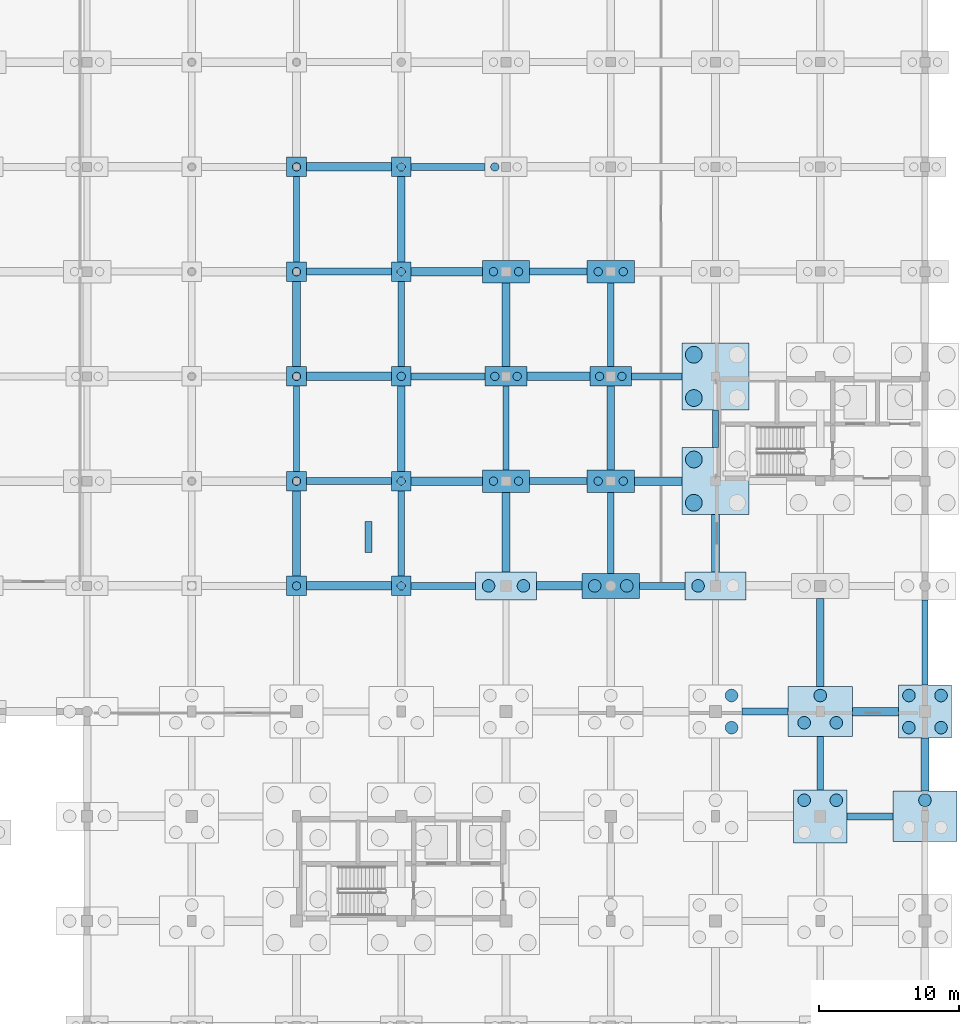
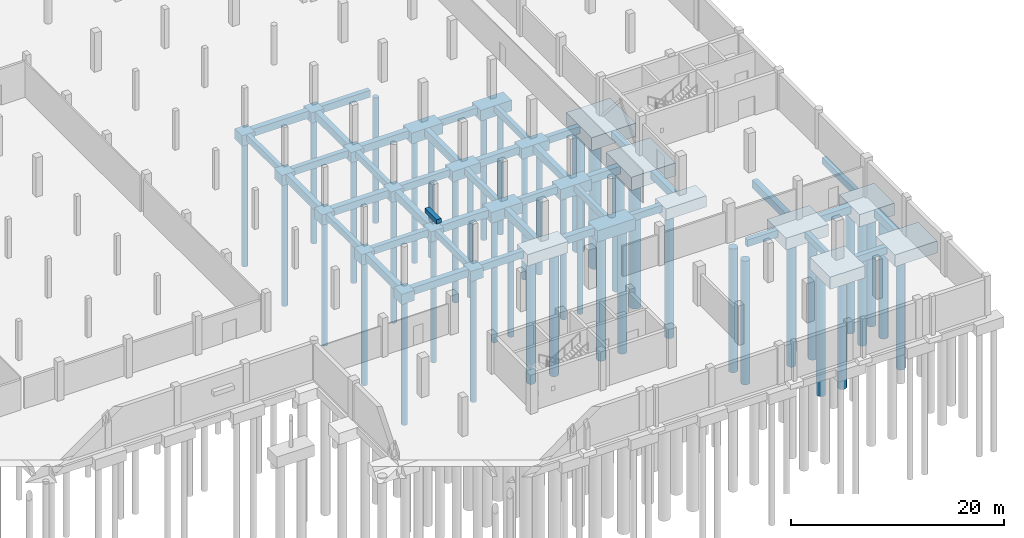
# One storey, part 12 of 42: 66 footings, 44 piles.
"""IFC4 building model written with IfcOpenShell, lengths in metres."""

from ifc_helpers import new_model, si_unit, direction, frame, origin, origin_2d, place, context, subcontext, project, spatial, rectangle, circle, extrude, material, material_profile, profile_set, type_object, element, save


model = new_model("IFC4")

# Units and contexts
model_context = context("Model", 3, precision=1e-05, world=origin(), true_north=direction((0.0, 1.0)))
body_context = subcontext(model_context, "Body", "Model", "MODEL_VIEW")
ifc_project = project(units=[si_unit("LENGTHUNIT", "METRE"), si_unit("AREAUNIT", "SQUARE_METRE"), si_unit("VOLUMEUNIT", "CUBIC_METRE"), si_unit("PLANEANGLEUNIT", "RADIAN"), si_unit("MASSUNIT", "GRAM", prefix="KILO")], contexts=[model_context])

# Site, building, storey
site_placement = place(None, origin())
site = spatial("IfcSite", under=ifc_project, at=site_placement, CompositionType="ELEMENT")
building_placement = place(site_placement, origin())
building = spatial("IfcBuilding", under=site, at=building_placement, Name="Dalvernix Boulevard General Hospital", CompositionType="ELEMENT")
storey_placement = place(building_placement, frame((0.0, 0.0, -4.5)))
storey = spatial("IfcBuildingStorey", under=building, at=storey_placement, Name="B1", CompositionType="ELEMENT", Elevation=-4.5)

# Footings
ifc_material_1 = material(Name="Concrete C35/45", Category="concrete")
footing_type_1 = type_object("IfcFootingType", Name="FTG-GB-01", PredefinedType="FOOTING_BEAM", material=ifc_material_1)
for number, where, z_axis, x_axis, name in (
    (1, (168.550048828125, 15.0, -1.2998046875), (0.0, 0.0, 1.0), (1.0, 0.0, 0.0), "Ground beam C:23-24"),
    (2, (161.050048828125, 22.5, -1.2998046875), (0.0, 0.0, 1.0), (1.0, 0.0, 0.0), "Ground beam D:22-23"),
):
    element("IfcFooting", number, at=place(storey_placement, frame(where, z_axis=z_axis, x_axis=x_axis)), inside=storey, type_object=footing_type_1, Name=name, PredefinedType="FOOTING_BEAM", context=body_context, shape_type="SweptSolid", body=[
        extrude(rectangle(XDim=3.300048828125, YDim=0.5, at=origin_2d()), origin(), (0.0, 0.0, 1.0), 0.800048828125),
    ])
footing_1_placement = place(storey_placement, frame((138.0, 31.5, -1.2998046875), z_axis=(0.0, 0.0, 1.0), x_axis=(1.0, 0.0, 0.0)))
element("IfcFooting", 3, at=footing_1_placement, inside=storey, type_object=footing_type_1, Name="Ground beam E:19-20", PredefinedType="FOOTING_BEAM", context=body_context, shape_type="SweptSolid", body=[
    extrude(rectangle(XDim=4.60009765625, YDim=0.5, at=origin_2d()), origin(), (0.0, 0.0, 1.0), 0.800048828125),
])
footing_2_placement = place(storey_placement, frame((153.675048828125, 31.5, -1.2998046875), z_axis=(0.0, 0.0, 1.0), x_axis=(1.0, 0.0, 0.0)))
element("IfcFooting", 4, at=footing_2_placement, inside=storey, type_object=footing_type_1, Name="Ground beam E:21-22", PredefinedType="FOOTING_BEAM", context=body_context, shape_type="SweptSolid", body=[
    extrude(rectangle(XDim=3.25, YDim=0.5, at=origin_2d()), origin(), (0.0, 0.0, 1.0), 0.800048828125),
])
footing_3_placement = place(storey_placement, frame((131.25, 39.0, -1.2998046875), z_axis=(0.0, 0.0, 1.0), x_axis=(1.0, 0.0, 0.0)))
element("IfcFooting", 5, at=footing_3_placement, inside=storey, type_object=footing_type_1, Name="Ground beam F:18-19", PredefinedType="FOOTING_BEAM", context=body_context, shape_type="SweptSolid", body=[
    extrude(rectangle(XDim=6.10009765625, YDim=0.5, at=origin_2d()), origin(), (0.0, 0.0, 1.0), 0.800048828125),
])
footing_4_placement = place(storey_placement, frame((146.25, 39.0, -1.2998046875), z_axis=(0.0, 0.0, 1.0), x_axis=(1.0, 0.0, 0.0)))
element("IfcFooting", 6, at=footing_4_placement, inside=storey, type_object=footing_type_1, Name="Ground beam F:20-21", PredefinedType="FOOTING_BEAM", context=body_context, shape_type="SweptSolid", body=[
    extrude(rectangle(XDim=4.10009765625, YDim=0.5, at=origin_2d()), origin(), (0.0, 0.0, 1.0), 0.800048828125),
])
footing_5_placement = place(storey_placement, frame((138.35009765625, 46.5, -1.2998046875), z_axis=(0.0, 0.0, 1.0), x_axis=(1.0, 0.0, 0.0)))
element("IfcFooting", 7, at=footing_5_placement, inside=storey, type_object=footing_type_1, Name="Ground beam G:19-20", PredefinedType="FOOTING_BEAM", context=body_context, shape_type="SweptSolid", body=[
    extrude(rectangle(XDim=5.300048828125, YDim=0.5, at=origin_2d()), origin(), (0.0, 0.0, 1.0), 0.800048828125),
])
footing_6_placement = place(storey_placement, frame((153.300048828125, 46.5, -1.2998046875), z_axis=(0.0, 0.0, 1.0), x_axis=(1.0, 0.0, 0.0)))
element("IfcFooting", 8, at=footing_6_placement, inside=storey, type_object=footing_type_1, Name="Ground beam G:21-22", PredefinedType="FOOTING_BEAM", context=body_context, shape_type="SweptSolid", body=[
    extrude(rectangle(XDim=3.60009765625, YDim=0.5, at=origin_2d()), origin(), (0.0, 0.0, 1.0), 0.800048828125),
])
footing_7_placement = place(storey_placement, frame((131.25, 54.0, -1.2998046875), z_axis=(0.0, 0.0, 1.0), x_axis=(1.0, 0.0, 0.0)))
element("IfcFooting", 9, at=footing_7_placement, inside=storey, type_object=footing_type_1, Name="Ground beam H:18-19", PredefinedType="FOOTING_BEAM", context=body_context, shape_type="SweptSolid", body=[
    extrude(rectangle(XDim=6.10009765625, YDim=0.5, at=origin_2d()), origin(), (0.0, 0.0, 1.0), 0.800048828125),
])
footing_8_placement = place(storey_placement, frame((146.25, 54.0, -1.2998046875), z_axis=(0.0, 0.0, 1.0), x_axis=(1.0, 0.0, 0.0)))
element("IfcFooting", 10, at=footing_8_placement, inside=storey, type_object=footing_type_1, Name="Ground beam H:20-21", PredefinedType="FOOTING_BEAM", context=body_context, shape_type="SweptSolid", body=[
    extrude(rectangle(XDim=4.10009765625, YDim=0.5, at=origin_2d()), origin(), (0.0, 0.0, 1.0), 0.800048828125),
])
footing_9_placement = place(storey_placement, frame((138.35009765625, 61.5, -1.2998046875), z_axis=(0.0, 0.0, 1.0), x_axis=(1.0, 0.0, 0.0)))
element("IfcFooting", 11, at=footing_9_placement, inside=storey, type_object=footing_type_1, Name="Ground beam J:19-20", PredefinedType="FOOTING_BEAM", context=body_context, shape_type="SweptSolid", body=[
    extrude(rectangle(XDim=5.300048828125, YDim=0.5, at=origin_2d()), origin(), (0.0, 0.0, 1.0), 0.800048828125),
])
footing_type_2 = type_object("IfcFootingType", Name="FTG-GB-02", PredefinedType="FOOTING_BEAM", material=ifc_material_1)
footing_10_placement = place(storey_placement, frame((168.949951171875, 22.5, -1.35009765625), z_axis=(0.0, 0.0, 1.0), x_axis=(1.0, 0.0, 0.0)))
element("IfcFooting", 12, at=footing_10_placement, inside=storey, type_object=footing_type_2, Name="Ground beam D:23-24", PredefinedType="FOOTING_BEAM", context=body_context, shape_type="SweptSolid", body=[
    extrude(rectangle(XDim=3.300048828125, YDim=0.60009765625, at=origin_2d()), origin(), (0.0, 0.0, 1.0), 0.85009765625),
])
footing_11_placement = place(storey_placement, frame((131.25, 31.5, -1.35009765625), z_axis=(0.0, 0.0, 1.0), x_axis=(1.0, 0.0, 0.0)))
element("IfcFooting", 13, at=footing_11_placement, inside=storey, type_object=footing_type_2, Name="Ground beam E:18-19", PredefinedType="FOOTING_BEAM", context=body_context, shape_type="SweptSolid", body=[
    extrude(rectangle(XDim=6.10009765625, YDim=0.60009765625, at=origin_2d()), origin(), (0.0, 0.0, 1.0), 0.85009765625),
])
footing_12_placement = place(storey_placement, frame((146.324951171875, 31.5, -1.35009765625), z_axis=(0.0, 0.0, 1.0), x_axis=(1.0, 0.0, 0.0)))
element("IfcFooting", 14, at=footing_12_placement, inside=storey, type_object=footing_type_2, Name="Ground beam E:20-21", PredefinedType="FOOTING_BEAM", context=body_context, shape_type="SweptSolid", body=[
    extrude(rectangle(XDim=3.25, YDim=0.60009765625, at=origin_2d()), origin(), (0.0, 0.0, 1.0), 0.85009765625),
])
footing_13_placement = place(storey_placement, frame((138.25, 39.0, -1.35009765625), z_axis=(0.0, 0.0, 1.0), x_axis=(1.0, 0.0, 0.0)))
element("IfcFooting", 15, at=footing_13_placement, inside=storey, type_object=footing_type_2, Name="Ground beam F:19-20", PredefinedType="FOOTING_BEAM", context=body_context, shape_type="SweptSolid", body=[
    extrude(rectangle(XDim=5.10009765625, YDim=0.60009765625, at=origin_2d()), origin(), (0.0, 0.0, 1.0), 0.85009765625),
])
footing_14_placement = place(storey_placement, frame((153.39990234375, 39.0, -1.35009765625), z_axis=(0.0, 0.0, 1.0), x_axis=(1.0, 0.0, 0.0)))
element("IfcFooting", 16, at=footing_14_placement, inside=storey, type_object=footing_type_2, Name="Ground beam F:21-22", PredefinedType="FOOTING_BEAM", context=body_context, shape_type="SweptSolid", body=[
    extrude(rectangle(XDim=3.39990234375, YDim=0.60009765625, at=origin_2d()), origin(), (0.0, 0.0, 1.0), 0.85009765625),
])
footing_15_placement = place(storey_placement, frame((131.25, 46.5, -1.35009765625), z_axis=(0.0, 0.0, 1.0), x_axis=(1.0, 0.0, 0.0)))
element("IfcFooting", 17, at=footing_15_placement, inside=storey, type_object=footing_type_2, Name="Ground beam G:18-19", PredefinedType="FOOTING_BEAM", context=body_context, shape_type="SweptSolid", body=[
    extrude(rectangle(XDim=6.10009765625, YDim=0.60009765625, at=origin_2d()), origin(), (0.0, 0.0, 1.0), 0.85009765625),
])
footing_16_placement = place(storey_placement, frame((146.25, 46.5, -1.35009765625), z_axis=(0.0, 0.0, 1.0), x_axis=(1.0, 0.0, 0.0)))
element("IfcFooting", 18, at=footing_16_placement, inside=storey, type_object=footing_type_2, Name="Ground beam G:20-21", PredefinedType="FOOTING_BEAM", context=body_context, shape_type="SweptSolid", body=[
    extrude(rectangle(XDim=4.5, YDim=0.60009765625, at=origin_2d()), origin(), (0.0, 0.0, 1.0), 0.85009765625),
])
footing_17_placement = place(storey_placement, frame((138.25, 54.0, -1.35009765625), z_axis=(0.0, 0.0, 1.0), x_axis=(1.0, 0.0, 0.0)))
element("IfcFooting", 19, at=footing_17_placement, inside=storey, type_object=footing_type_2, Name="Ground beam H:19-20", PredefinedType="FOOTING_BEAM", context=body_context, shape_type="SweptSolid", body=[
    extrude(rectangle(XDim=5.10009765625, YDim=0.60009765625, at=origin_2d()), origin(), (0.0, 0.0, 1.0), 0.85009765625),
])
footing_18_placement = place(storey_placement, frame((131.25, 61.5, -1.35009765625), z_axis=(0.0, 0.0, 1.0), x_axis=(1.0, 0.0, 0.0)))
element("IfcFooting", 20, at=footing_18_placement, inside=storey, type_object=footing_type_2, Name="Ground beam J:18-19", PredefinedType="FOOTING_BEAM", context=body_context, shape_type="SweptSolid", body=[
    extrude(rectangle(XDim=6.10009765625, YDim=0.60009765625, at=origin_2d()), origin(), (0.0, 0.0, 1.0), 0.85009765625),
])
footing_type_3 = type_object("IfcFootingType", Name="FTG-GB-03", PredefinedType="FOOTING_BEAM", material=ifc_material_1)
for number, where, z_axis, x_axis, name in (
    (21, (127.5, 42.75, -1.25), (0.0, 0.0, 1.0), (0.0, 1.0, 0.0), "Ground beam 18:F-G"),
    (22, (127.5, 57.75, -1.25), (0.0, 0.0, 1.0), (0.0, 1.0, 0.0), "Ground beam 18:H-J"),
    (23, (135.0, 35.25, -1.25), (0.0, 0.0, 1.0), (0.0, 1.0, 0.0), "Ground beam 19:E-F"),
    (24, (135.0, 50.25, -1.25), (0.0, 0.0, 1.0), (0.0, 1.0, 0.0), "Ground beam 19:G-H"),
):
    element("IfcFooting", number, at=place(storey_placement, frame(where, z_axis=z_axis, x_axis=x_axis)), inside=storey, type_object=footing_type_3, Name=name, PredefinedType="FOOTING_BEAM", context=body_context, shape_type="SweptSolid", body=[
        extrude(rectangle(XDim=6.10009765625, YDim=0.449951171875, at=origin_2d()), origin(), (0.0, 0.0, 1.0), 0.75),
    ])
footing_19_placement = place(storey_placement, frame((142.5, 42.800048828125, -1.25), z_axis=(0.0, 0.0, 1.0), x_axis=(0.0, 1.0, 0.0)))
element("IfcFooting", 25, at=footing_19_placement, inside=storey, type_object=footing_type_3, Name="Ground beam 20:F-G", PredefinedType="FOOTING_BEAM", context=body_context, shape_type="SweptSolid", body=[
    extrude(rectangle(XDim=6.0, YDim=0.449951171875, at=origin_2d()), origin(), (0.0, 0.0, 1.0), 0.75),
])
footing_20_placement = place(storey_placement, frame((150.0, 35.300048828125, -1.25), z_axis=(0.0, 0.0, 1.0), x_axis=(0.0, 1.0, 0.0)))
element("IfcFooting", 26, at=footing_20_placement, inside=storey, type_object=footing_type_3, Name="Ground beam 21:E-F", PredefinedType="FOOTING_BEAM", context=body_context, shape_type="SweptSolid", body=[
    extrude(rectangle(XDim=5.800048828125, YDim=0.449951171875, at=origin_2d()), origin(), (0.0, 0.0, 1.0), 0.75),
])
footing_21_placement = place(storey_placement, frame((150.0, 50.199951171875, -1.25), z_axis=(0.0, 0.0, 1.0), x_axis=(0.0, 1.0, 0.0)))
element("IfcFooting", 27, at=footing_21_placement, inside=storey, type_object=footing_type_3, Name="Ground beam 21:G-H", PredefinedType="FOOTING_BEAM", context=body_context, shape_type="SweptSolid", body=[
    extrude(rectangle(XDim=6.0, YDim=0.449951171875, at=origin_2d()), origin(), (0.0, 0.0, 1.0), 0.75),
])
footing_22_placement = place(storey_placement, frame((157.5, 42.75, -1.25), z_axis=(0.0, 0.0, 1.0), x_axis=(0.0, 1.0, 0.0)))
element("IfcFooting", 28, at=footing_22_placement, inside=storey, type_object=footing_type_3, Name="Ground beam 22:F-G", PredefinedType="FOOTING_BEAM", context=body_context, shape_type="SweptSolid", body=[
    extrude(rectangle(XDim=2.699951171875, YDim=0.449951171875, at=origin_2d()), origin(), (0.0, 0.0, 1.0), 0.75),
])
footing_23_placement = place(storey_placement, frame((165.0, 18.800048828125, -1.25), z_axis=(0.0, 0.0, 1.0), x_axis=(0.0, 1.0, 0.0)))
element("IfcFooting", 29, at=footing_23_placement, inside=storey, type_object=footing_type_3, Name="Ground beam 23:C-D", PredefinedType="FOOTING_BEAM", context=body_context, shape_type="SweptSolid", body=[
    extrude(rectangle(XDim=3.800048828125, YDim=0.449951171875, at=origin_2d()), origin(), (0.0, 0.0, 1.0), 0.75),
])
footing_24_placement = place(storey_placement, frame((172.5, 27.449951171875, -1.25), z_axis=(0.0, 0.0, 1.0), x_axis=(0.0, 1.0, 0.0)))
element("IfcFooting", 30, at=footing_24_placement, inside=storey, type_object=footing_type_3, Name="Ground beam 24:D-E", PredefinedType="FOOTING_BEAM", context=body_context, shape_type="SweptSolid", body=[
    extrude(rectangle(XDim=6.10009765625, YDim=0.449951171875, at=origin_2d()), origin(), (0.0, 0.0, 1.0), 0.75),
])
footing_type_4 = type_object("IfcFootingType", Name="FTG-GB-04", PredefinedType="FOOTING_BEAM", material=ifc_material_1)
for number, where, z_axis, x_axis, name in (
    (31, (127.5, 35.25, -1.39990234375), (0.0, 0.0, 1.0), (0.0, 1.0, 0.0), "Ground beam 18:E-F"),
    (32, (127.5, 50.25, -1.39990234375), (0.0, 0.0, 1.0), (0.0, 1.0, 0.0), "Ground beam 18:G-H"),
    (33, (135.0, 42.75, -1.39990234375), (0.0, 0.0, 1.0), (0.0, 1.0, 0.0), "Ground beam 19:F-G"),
    (34, (135.0, 57.75, -1.39990234375), (0.0, 0.0, 1.0), (0.0, 1.0, 0.0), "Ground beam 19:H-J"),
):
    element("IfcFooting", number, at=place(storey_placement, frame(where, z_axis=z_axis, x_axis=x_axis)), inside=storey, type_object=footing_type_4, Name=name, PredefinedType="FOOTING_BEAM", context=body_context, shape_type="SweptSolid", body=[
        extrude(rectangle(XDim=6.10009765625, YDim=0.550048828125, at=origin_2d()), origin(), (0.0, 0.0, 1.0), 0.89990234375),
    ])
footing_25_placement = place(storey_placement, frame((142.5, 35.35009765625, -1.39990234375), z_axis=(0.0, 0.0, 1.0), x_axis=(0.0, 1.0, 0.0)))
element("IfcFooting", 35, at=footing_25_placement, inside=storey, type_object=footing_type_4, Name="Ground beam 20:E-F", PredefinedType="FOOTING_BEAM", context=body_context, shape_type="SweptSolid", body=[
    extrude(rectangle(XDim=5.699951171875, YDim=0.550048828125, at=origin_2d()), origin(), (0.0, 0.0, 1.0), 0.89990234375),
])
for number, where, z_axis, x_axis, name in (
    (36, (142.5, 50.199951171875, -1.39990234375), (0.0, 0.0, 1.0), (0.0, 1.0, 0.0), "Ground beam 20:G-H"),
    (37, (150.0, 42.800048828125, -1.39990234375), (0.0, 0.0, 1.0), (0.0, 1.0, 0.0), "Ground beam 21:F-G"),
):
    element("IfcFooting", number, at=place(storey_placement, frame(where, z_axis=z_axis, x_axis=x_axis)), inside=storey, type_object=footing_type_4, Name=name, PredefinedType="FOOTING_BEAM", context=body_context, shape_type="SweptSolid", body=[
        extrude(rectangle(XDim=6.0, YDim=0.550048828125, at=origin_2d()), origin(), (0.0, 0.0, 1.0), 0.89990234375),
    ])
footing_26_placement = place(storey_placement, frame((157.5, 34.550048828125, -1.39990234375), z_axis=(0.0, 0.0, 1.0), x_axis=(0.0, 1.0, 0.0)))
element("IfcFooting", 38, at=footing_26_placement, inside=storey, type_object=footing_type_4, Name="Ground beam 22:E-F", PredefinedType="FOOTING_BEAM", context=body_context, shape_type="SweptSolid", body=[
    extrude(rectangle(XDim=4.10009765625, YDim=0.550048828125, at=origin_2d()), origin(), (0.0, 0.0, 1.0), 0.89990234375),
])
footing_27_placement = place(storey_placement, frame((165.0, 27.449951171875, -1.39990234375), z_axis=(0.0, 0.0, 1.0), x_axis=(0.0, 1.0, 0.0)))
element("IfcFooting", 39, at=footing_27_placement, inside=storey, type_object=footing_type_4, Name="Ground beam 23:D-E", PredefinedType="FOOTING_BEAM", context=body_context, shape_type="SweptSolid", body=[
    extrude(rectangle(XDim=6.300048828125, YDim=0.550048828125, at=origin_2d()), origin(), (0.0, 0.0, 1.0), 0.89990234375),
])
footing_28_placement = place(storey_placement, frame((172.5, 18.699951171875, -1.39990234375), z_axis=(0.0, 0.0, 1.0), x_axis=(0.0, 1.0, 0.0)))
element("IfcFooting", 40, at=footing_28_placement, inside=storey, type_object=footing_type_4, Name="Ground beam 24:C-D", PredefinedType="FOOTING_BEAM", context=body_context, shape_type="SweptSolid", body=[
    extrude(rectangle(XDim=3.800048828125, YDim=0.550048828125, at=origin_2d()), origin(), (0.0, 0.0, 1.0), 0.89990234375),
])
ifc_material_2 = material(Name="Concrete C40/50", Category="concrete")
footing_type_5 = type_object("IfcFootingType", Name="FTG-PC-01", PredefinedType="PILE_CAP", material=ifc_material_2)
for number, where, z_axis, x_axis, name in (
    (41, (127.5, 31.5, -1.7001953125), (0.0, 0.0, 1.0), (1.0, 0.0, 0.0), "Pile cap 18E"),
    (42, (127.5, 39.0, -1.7001953125), (0.0, 0.0, 1.0), (1.0, 0.0, 0.0), "Pile cap 18F"),
    (43, (127.5, 46.5, -1.7001953125), (0.0, 0.0, 1.0), (1.0, 0.0, 0.0), "Pile cap 18G"),
    (44, (127.5, 54.0, -1.7001953125), (0.0, 0.0, 1.0), (1.0, 0.0, 0.0), "Pile cap 18H"),
    (45, (127.5, 61.5, -1.7001953125), (0.0, 0.0, 1.0), (1.0, 0.0, 0.0), "Pile cap 18J"),
    (46, (135.0, 31.5, -1.7001953125), (0.0, 0.0, 1.0), (1.0, 0.0, 0.0), "Pile cap 19E"),
    (47, (135.0, 39.0, -1.7001953125), (0.0, 0.0, 1.0), (1.0, 0.0, 0.0), "Pile cap 19F"),
    (48, (135.0, 46.5, -1.7001953125), (0.0, 0.0, 1.0), (1.0, 0.0, 0.0), "Pile cap 19G"),
    (49, (135.0, 54.0, -1.7001953125), (0.0, 0.0, 1.0), (1.0, 0.0, 0.0), "Pile cap 19H"),
    (50, (135.0, 61.5, -1.7001953125), (0.0, 0.0, 1.0), (1.0, 0.0, 0.0), "Pile cap 19J"),
):
    element("IfcFooting", number, at=place(storey_placement, frame(where, z_axis=z_axis, x_axis=x_axis)), inside=storey, type_object=footing_type_5, Name=name, PredefinedType="PILE_CAP", context=body_context, shape_type="SweptSolid", body=[
        extrude(rectangle(XDim=1.39990234375, YDim=1.39990234375, at=origin_2d()), origin(), (0.0, 0.0, 1.0), 1.199951171875),
    ])
footing_type_6 = type_object("IfcFootingType", Name="FTG-PC-02", PredefinedType="PILE_CAP", material=ifc_material_2)
for number, where, z_axis, x_axis, name in (
    (51, (142.5, 46.5, -1.7001953125), (0.0, 0.0, 1.0), (1.0, 0.0, 0.0), "Pile cap 20G"),
    (52, (150.0, 46.5, -1.7001953125), (0.0, 0.0, 1.0), (1.0, 0.0, 0.0), "Pile cap 21G"),
):
    element("IfcFooting", number, at=place(storey_placement, frame(where, z_axis=z_axis, x_axis=x_axis)), inside=storey, type_object=footing_type_6, Name=name, PredefinedType="PILE_CAP", context=body_context, shape_type="SweptSolid", body=[
        extrude(rectangle(XDim=3.0, YDim=1.39990234375, at=origin_2d()), origin(), (0.0, 0.0, 1.0), 1.199951171875),
    ])
footing_type_7 = type_object("IfcFootingType", Name="FTG-PC-03", PredefinedType="PILE_CAP", material=ifc_material_2)
for number, where, z_axis, x_axis, name in (
    (53, (142.5, 39.0, -1.75), (0.0, 0.0, 1.0), (1.0, 0.0, 0.0), "Pile cap 20F"),
    (54, (142.5, 54.0, -1.75), (0.0, 0.0, 1.0), (1.0, 0.0, 0.0), "Pile cap 20H"),
    (55, (150.0, 39.0, -1.75), (0.0, 0.0, 1.0), (1.0, 0.0, 0.0), "Pile cap 21F"),
    (56, (150.0, 54.0, -1.75), (0.0, 0.0, 1.0), (1.0, 0.0, 0.0), "Pile cap 21H"),
):
    element("IfcFooting", number, at=place(storey_placement, frame(where, z_axis=z_axis, x_axis=x_axis)), inside=storey, type_object=footing_type_7, Name=name, PredefinedType="PILE_CAP", context=body_context, shape_type="SweptSolid", body=[
        extrude(rectangle(XDim=3.39990234375, YDim=1.60009765625, at=origin_2d()), origin(), (0.0, 0.0, 1.0), 1.25),
    ])
footing_type_8 = type_object("IfcFootingType", Name="FTG-PC-04", PredefinedType="PILE_CAP", material=ifc_material_2)
footing_29_placement = place(storey_placement, frame((150.0, 31.5, -1.7998046875), z_axis=(0.0, 0.0, 1.0), x_axis=(1.0, 0.0, 0.0)))
element("IfcFooting", 57, at=footing_29_placement, inside=storey, type_object=footing_type_8, Name="Pile cap 21E", PredefinedType="PILE_CAP", context=body_context, shape_type="SweptSolid", body=[
    extrude(rectangle(XDim=4.10009765625, YDim=1.800048828125, at=origin_2d()), origin(), (0.0, 0.0, 1.0), 1.300048828125),
])
footing_type_9 = type_object("IfcFootingType", Name="FTG-PC-05", PredefinedType="PILE_CAP", material=ifc_material_2)
for number, where, z_axis, x_axis, name in (
    (58, (142.5, 31.5, -1.7998046875), (0.0, 0.0, 1.0), (1.0, 0.0, 0.0), "Pile cap 20E"),
    (59, (157.5, 31.5, -1.7998046875), (0.0, 0.0, 1.0), (1.0, 0.0, 0.0), "Pile cap 22E"),
):
    element("IfcFooting", number, at=place(storey_placement, frame(where, z_axis=z_axis, x_axis=x_axis)), inside=storey, type_object=footing_type_9, Name=name, PredefinedType="PILE_CAP", context=body_context, shape_type="SweptSolid", body=[
        extrude(rectangle(XDim=4.39990234375, YDim=2.0, at=origin_2d()), origin(), (0.0, 0.0, 1.0), 1.300048828125),
    ])
footing_type_10 = type_object("IfcFootingType", Name="FTG-PC-06", PredefinedType="PILE_CAP", material=ifc_material_2)
for number, where, z_axis, x_axis, name in (
    (60, (165.0, 22.5, -1.85009765625), (0.0, 0.0, 1.0), (1.0, 0.0, 0.0), "Pile cap 23D"),
    (61, (172.5, 15.0, -1.85009765625), (0.0, 0.0, 1.0), (1.0, 0.0, 0.0), "Pile cap 24C"),
):
    element("IfcFooting", number, at=place(storey_placement, frame(where, z_axis=z_axis, x_axis=x_axis)), inside=storey, type_object=footing_type_10, Name=name, PredefinedType="PILE_CAP", context=body_context, shape_type="SweptSolid", body=[
        extrude(rectangle(XDim=4.60009765625, YDim=3.60009765625, at=origin_2d()), origin(), (0.0, 0.0, 1.0), 1.35009765625),
    ])
footing_type_11 = type_object("IfcFootingType", Name="FTG-PC-07", PredefinedType="PILE_CAP", material=ifc_material_2)
for number, where, z_axis, x_axis, name in (
    (62, (165.0, 15.0, -1.89990234375), (0.0, 0.0, 1.0), (1.0, 0.0, 0.0), "Pile cap 23C"),
    (63, (172.5, 22.5, -1.89990234375), (0.0, 0.0, 1.0), (1.0, 0.0, 0.0), "Pile cap 24D"),
):
    element("IfcFooting", number, at=place(storey_placement, frame(where, z_axis=z_axis, x_axis=x_axis)), inside=storey, type_object=footing_type_11, Name=name, PredefinedType="PILE_CAP", context=body_context, shape_type="SweptSolid", body=[
        extrude(rectangle(XDim=3.800048828125, YDim=3.800048828125, at=origin_2d()), origin(), (0.0, 0.0, 1.0), 1.39990234375),
    ])
footing_type_12 = type_object("IfcFootingType", Name="FTG-PC-09", PredefinedType="PILE_CAP", material=ifc_material_2)
for number, where, z_axis, x_axis, name in (
    (64, (157.5, 39.0, -2.0), (0.0, 0.0, 1.0), (1.0, 0.0, 0.0), "Pile cap 22F"),
    (65, (157.5, 46.5, -2.0), (0.0, 0.0, 1.0), (1.0, 0.0, 0.0), "Pile cap 22G"),
):
    element("IfcFooting", number, at=place(storey_placement, frame(where, z_axis=z_axis, x_axis=x_axis)), inside=storey, type_object=footing_type_12, Name=name, PredefinedType="PILE_CAP", context=body_context, shape_type="SweptSolid", body=[
        extrude(rectangle(XDim=4.800048828125, YDim=4.800048828125, at=origin_2d()), origin(), (0.0, 0.0, 1.0), 1.5),
    ])
footing_type_13 = type_object("IfcFootingType", Name="FTG-SF-01", PredefinedType="STRIP_FOOTING", material=ifc_material_1)
footing_30_placement = place(storey_placement, frame((132.64990234375, 35.0, 3.719970703125), z_axis=(0.0, 0.0, 1.0), x_axis=(1.0, 0.0, 0.0)))
element("IfcFooting", 66, at=footing_30_placement, inside=storey, type_object=footing_type_13, Name="Accessible entrance ramp lower strip footing 4", PredefinedType="STRIP_FOOTING", context=body_context, shape_type="SweptSolid", body=[
    extrude(rectangle(XDim=0.5, YDim=2.199951171875, at=origin_2d()), origin(), (0.0, 0.0, 1.0), 0.5),
])

# Piles
ifc_material_profile_1 = material_profile(ifc_material_1, circle(Radius=0.300048828125, at=origin_2d()), Name="BORED PILE D600")
ifc_profile_set_1 = profile_set([ifc_material_profile_1], Name="Concrete C35/45")
pile_type_1 = type_object("IfcPileType", Name="PILE-PL-01", PredefinedType="BORED", material=ifc_profile_set_1)
for number, where, z_axis, x_axis, name in (
    (67, (127.5, 31.5, -1.60009765625), (0.0, 0.0, -1.0), (1.0, 0.0, 0.0), "Bored pile 18E-1"),
    (68, (127.5, 39.0, -1.60009765625), (0.0, 0.0, -1.0), (1.0, 0.0, 0.0), "Bored pile 18F-1"),
    (69, (127.5, 46.5, -1.60009765625), (0.0, 0.0, -1.0), (1.0, 0.0, 0.0), "Bored pile 18G-1"),
    (70, (127.5, 54.0, -1.60009765625), (0.0, 0.0, -1.0), (1.0, 0.0, 0.0), "Bored pile 18H-1"),
    (71, (127.5, 61.5, -1.60009765625), (0.0, 0.0, -1.0), (1.0, 0.0, 0.0), "Bored pile 18J-1"),
    (72, (135.0, 31.5, -1.60009765625), (0.0, 0.0, -1.0), (1.0, 0.0, 0.0), "Bored pile 19E-1"),
    (73, (135.0, 39.0, -1.60009765625), (0.0, 0.0, -1.0), (1.0, 0.0, 0.0), "Bored pile 19F-1"),
    (74, (135.0, 46.5, -1.60009765625), (0.0, 0.0, -1.0), (1.0, 0.0, 0.0), "Bored pile 19G-1"),
    (75, (135.0, 54.0, -1.60009765625), (0.0, 0.0, -1.0), (1.0, 0.0, 0.0), "Bored pile 19H-1"),
    (76, (135.0, 61.5, -1.60009765625), (0.0, 0.0, -1.0), (1.0, 0.0, 0.0), "Bored pile 19J-1"),
):
    element("IfcPile", number, at=place(storey_placement, frame(where, z_axis=z_axis, x_axis=x_axis)), inside=storey, type_object=pile_type_1, Name=name, PredefinedType="BORED", context=body_context, shape_type="SweptSolid", body=[
        extrude(circle(Radius=0.300048828125, at=origin_2d()), origin(), (0.0, 0.0, 1.0), 14.39990234375),
    ])
for number, where, z_axis, x_axis, name in (
    (77, (141.60009765625, 39.0, -1.64990234375), (0.0, 0.0, -1.0), (1.0, 0.0, 0.0), "Bored pile 20F-1"),
    (78, (143.39990234375, 39.0, -1.64990234375), (0.0, 0.0, -1.0), (1.0, 0.0, 0.0), "Bored pile 20F-2"),
):
    element("IfcPile", number, at=place(storey_placement, frame(where, z_axis=z_axis, x_axis=x_axis)), inside=storey, type_object=pile_type_1, Name=name, PredefinedType="BORED", context=body_context, shape_type="SweptSolid", body=[
        extrude(circle(Radius=0.300048828125, at=origin_2d()), origin(), (0.0, 0.0, 1.0), 14.35009765625),
    ])
for number, where, z_axis, x_axis, name in (
    (79, (141.699951171875, 46.5, -1.60009765625), (0.0, 0.0, -1.0), (1.0, 0.0, 0.0), "Bored pile 20G-1"),
    (80, (143.300048828125, 46.5, -1.60009765625), (0.0, 0.0, -1.0), (1.0, 0.0, 0.0), "Bored pile 20G-2"),
):
    element("IfcPile", number, at=place(storey_placement, frame(where, z_axis=z_axis, x_axis=x_axis)), inside=storey, type_object=pile_type_1, Name=name, PredefinedType="BORED", context=body_context, shape_type="SweptSolid", body=[
        extrude(circle(Radius=0.300048828125, at=origin_2d()), origin(), (0.0, 0.0, 1.0), 14.39990234375),
    ])
for number, where, z_axis, x_axis, name in (
    (81, (141.60009765625, 54.0, -1.64990234375), (0.0, 0.0, -1.0), (1.0, 0.0, 0.0), "Bored pile 20H-1"),
    (82, (143.39990234375, 54.0, -1.64990234375), (0.0, 0.0, -1.0), (1.0, 0.0, 0.0), "Bored pile 20H-2"),
):
    element("IfcPile", number, at=place(storey_placement, frame(where, z_axis=z_axis, x_axis=x_axis)), inside=storey, type_object=pile_type_1, Name=name, PredefinedType="BORED", context=body_context, shape_type="SweptSolid", body=[
        extrude(circle(Radius=0.300048828125, at=origin_2d()), origin(), (0.0, 0.0, 1.0), 14.35009765625),
    ])
pile_1_placement = place(storey_placement, frame((141.699951171875, 61.5, -1.60009765625), z_axis=(0.0, 0.0, -1.0), x_axis=(1.0, 0.0, 0.0)))
element("IfcPile", 83, at=pile_1_placement, inside=storey, type_object=pile_type_1, Name="Bored pile 20J-1", PredefinedType="BORED", context=body_context, shape_type="SweptSolid", body=[
    extrude(circle(Radius=0.300048828125, at=origin_2d()), origin(), (0.0, 0.0, 1.0), 14.39990234375),
])
for number, where, z_axis, x_axis, name in (
    (84, (149.10009765625, 39.0, -1.64990234375), (0.0, 0.0, -1.0), (1.0, 0.0, 0.0), "Bored pile 21F-1"),
    (85, (150.89990234375, 39.0, -1.64990234375), (0.0, 0.0, -1.0), (1.0, 0.0, 0.0), "Bored pile 21F-2"),
):
    element("IfcPile", number, at=place(storey_placement, frame(where, z_axis=z_axis, x_axis=x_axis)), inside=storey, type_object=pile_type_1, Name=name, PredefinedType="BORED", context=body_context, shape_type="SweptSolid", body=[
        extrude(circle(Radius=0.300048828125, at=origin_2d()), origin(), (0.0, 0.0, 1.0), 14.35009765625),
    ])
for number, where, z_axis, x_axis, name in (
    (86, (149.199951171875, 46.5, -1.60009765625), (0.0, 0.0, -1.0), (1.0, 0.0, 0.0), "Bored pile 21G-1"),
    (87, (150.800048828125, 46.5, -1.60009765625), (0.0, 0.0, -1.0), (1.0, 0.0, 0.0), "Bored pile 21G-2"),
):
    element("IfcPile", number, at=place(storey_placement, frame(where, z_axis=z_axis, x_axis=x_axis)), inside=storey, type_object=pile_type_1, Name=name, PredefinedType="BORED", context=body_context, shape_type="SweptSolid", body=[
        extrude(circle(Radius=0.300048828125, at=origin_2d()), origin(), (0.0, 0.0, 1.0), 14.39990234375),
    ])
for number, where, z_axis, x_axis, name in (
    (88, (149.10009765625, 54.0, -1.64990234375), (0.0, 0.0, -1.0), (1.0, 0.0, 0.0), "Bored pile 21H-1"),
    (89, (150.89990234375, 54.0, -1.64990234375), (0.0, 0.0, -1.0), (1.0, 0.0, 0.0), "Bored pile 21H-2"),
):
    element("IfcPile", number, at=place(storey_placement, frame(where, z_axis=z_axis, x_axis=x_axis)), inside=storey, type_object=pile_type_1, Name=name, PredefinedType="BORED", context=body_context, shape_type="SweptSolid", body=[
        extrude(circle(Radius=0.300048828125, at=origin_2d()), origin(), (0.0, 0.0, 1.0), 14.35009765625),
    ])
ifc_material_profile_2 = material_profile(ifc_material_1, circle(Radius=0.449951171875, at=origin_2d()), Name="BORED PILE D900")
ifc_profile_set_2 = profile_set([ifc_material_profile_2], Name="Concrete C35/45")
pile_type_2 = type_object("IfcPileType", Name="PILE-PL-02", PredefinedType="BORED", material=ifc_profile_set_2)
for number, where, z_axis, x_axis, name in (
    (90, (141.25, 31.5, -1.699951171875), (0.0, 0.0, -1.0), (1.0, 0.0, 0.0), "Bored pile 20E-1"),
    (91, (143.75, 31.5, -1.699951171875), (0.0, 0.0, -1.0), (1.0, 0.0, 0.0), "Bored pile 20E-2"),
    (92, (148.85009765625, 31.5, -1.699951171875), (0.0, 0.0, -1.0), (1.0, 0.0, 0.0), "Bored pile 21E-1"),
    (93, (151.14990234375, 31.5, -1.699951171875), (0.0, 0.0, -1.0), (1.0, 0.0, 0.0), "Bored pile 21E-2"),
):
    element("IfcPile", number, at=place(storey_placement, frame(where, z_axis=z_axis, x_axis=x_axis)), inside=storey, type_object=pile_type_2, Name=name, PredefinedType="BORED", context=body_context, shape_type="SweptSolid", body=[
        extrude(circle(Radius=0.449951171875, at=origin_2d()), origin(), (0.0, 0.0, 1.0), 14.300048828125),
    ])
for number, where, z_axis, x_axis, name in (
    (94, (158.64990234375, 21.35009765625, -1.800048828125), (0.0, 0.0, -1.0), (1.0, 0.0, 0.0), "Bored pile 22D-2"),
    (95, (158.64990234375, 23.64990234375, -1.800048828125), (0.0, 0.0, -1.0), (1.0, 0.0, 0.0), "Bored pile 22D-4"),
):
    element("IfcPile", number, at=place(storey_placement, frame(where, z_axis=z_axis, x_axis=x_axis)), inside=storey, type_object=pile_type_2, Name=name, PredefinedType="BORED", context=body_context, shape_type="SweptSolid", body=[
        extrude(circle(Radius=0.449951171875, at=origin_2d()), origin(), (0.0, 0.0, 1.0), 14.199951171875),
    ])
pile_2_placement = place(storey_placement, frame((156.25, 31.5, -1.699951171875), z_axis=(0.0, 0.0, -1.0), x_axis=(1.0, 0.0, 0.0)))
element("IfcPile", 96, at=pile_2_placement, inside=storey, type_object=pile_type_2, Name="Bored pile 22E-1", PredefinedType="BORED", context=body_context, shape_type="SweptSolid", body=[
    extrude(circle(Radius=0.449951171875, at=origin_2d()), origin(), (0.0, 0.0, 1.0), 14.300048828125),
])
for number, where, z_axis, x_axis, name in (
    (97, (163.85009765625, 16.14990234375, -1.800048828125), (0.0, 0.0, -1.0), (1.0, 0.0, 0.0), "Bored pile 23C-3"),
    (98, (166.14990234375, 16.14990234375, -1.800048828125), (0.0, 0.0, -1.0), (1.0, 0.0, 0.0), "Bored pile 23C-4"),
):
    element("IfcPile", number, at=place(storey_placement, frame(where, z_axis=z_axis, x_axis=x_axis)), inside=storey, type_object=pile_type_2, Name=name, PredefinedType="BORED", context=body_context, shape_type="SweptSolid", body=[
        extrude(circle(Radius=0.449951171875, at=origin_2d()), origin(), (0.0, 0.0, 1.0), 14.199951171875),
    ])
for number, where, z_axis, x_axis, name in (
    (99, (163.85009765625, 21.699951171875, -1.75), (0.0, 0.0, -1.0), (1.0, 0.0, 0.0), "Bored pile 23D-1"),
    (100, (166.14990234375, 21.699951171875, -1.75), (0.0, 0.0, -1.0), (1.0, 0.0, 0.0), "Bored pile 23D-2"),
    (101, (165.0, 23.64990234375, -1.75), (0.0, 0.0, -1.0), (1.0, 0.0, 0.0), "Bored pile 23D-3"),
    (102, (172.5, 16.14990234375, -1.75), (0.0, 0.0, -1.0), (1.0, 0.0, 0.0), "Bored pile 24C-3"),
):
    element("IfcPile", number, at=place(storey_placement, frame(where, z_axis=z_axis, x_axis=x_axis)), inside=storey, type_object=pile_type_2, Name=name, PredefinedType="BORED", context=body_context, shape_type="SweptSolid", body=[
        extrude(circle(Radius=0.449951171875, at=origin_2d()), origin(), (0.0, 0.0, 1.0), 14.25),
    ])
for number, where, z_axis, x_axis, name in (
    (103, (171.35009765625, 21.35009765625, -1.800048828125), (0.0, 0.0, -1.0), (1.0, 0.0, 0.0), "Bored pile 24D-1"),
    (104, (173.64990234375, 21.35009765625, -1.800048828125), (0.0, 0.0, -1.0), (1.0, 0.0, 0.0), "Bored pile 24D-2"),
    (105, (171.35009765625, 23.64990234375, -1.800048828125), (0.0, 0.0, -1.0), (1.0, 0.0, 0.0), "Bored pile 24D-3"),
    (106, (173.64990234375, 23.64990234375, -1.800048828125), (0.0, 0.0, -1.0), (1.0, 0.0, 0.0), "Bored pile 24D-4"),
):
    element("IfcPile", number, at=place(storey_placement, frame(where, z_axis=z_axis, x_axis=x_axis)), inside=storey, type_object=pile_type_2, Name=name, PredefinedType="BORED", context=body_context, shape_type="SweptSolid", body=[
        extrude(circle(Radius=0.449951171875, at=origin_2d()), origin(), (0.0, 0.0, 1.0), 14.199951171875),
    ])
ifc_material_profile_3 = material_profile(ifc_material_1, circle(Radius=0.60009765625, at=origin_2d()), Name="BORED PILE D1200")
ifc_profile_set_3 = profile_set([ifc_material_profile_3], Name="Concrete C35/45")
pile_type_3 = type_object("IfcPileType", Name="PILE-PL-03", PredefinedType="BORED", material=ifc_profile_set_3)
for number, where, z_axis, x_axis, name in (
    (107, (155.949951171875, 37.449951171875, -1.89990234375), (0.0, 0.0, -1.0), (1.0, 0.0, 0.0), "Bored pile 22F-1"),
    (108, (155.949951171875, 40.550048828125, -1.89990234375), (0.0, 0.0, -1.0), (1.0, 0.0, 0.0), "Bored pile 22F-3"),
    (109, (155.949951171875, 44.949951171875, -1.89990234375), (0.0, 0.0, -1.0), (1.0, 0.0, 0.0), "Bored pile 22G-1"),
    (110, (155.949951171875, 48.050048828125, -1.89990234375), (0.0, 0.0, -1.0), (1.0, 0.0, 0.0), "Bored pile 22G-3"),
):
    element("IfcPile", number, at=place(storey_placement, frame(where, z_axis=z_axis, x_axis=x_axis)), inside=storey, type_object=pile_type_3, Name=name, PredefinedType="BORED", context=body_context, shape_type="SweptSolid", body=[
        extrude(circle(Radius=0.60009765625, at=origin_2d()), origin(), (0.0, 0.0, 1.0), 14.10009765625),
    ])

save(model, "model.ifc")
